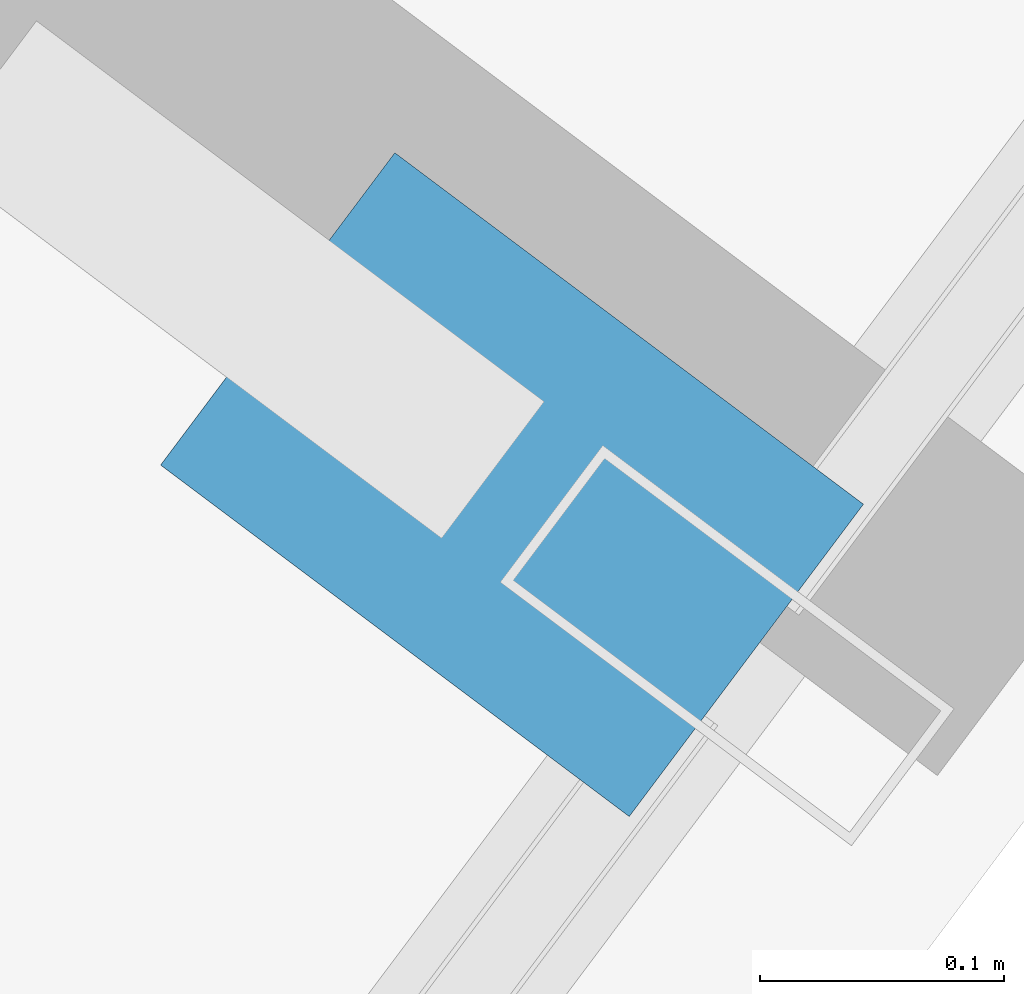
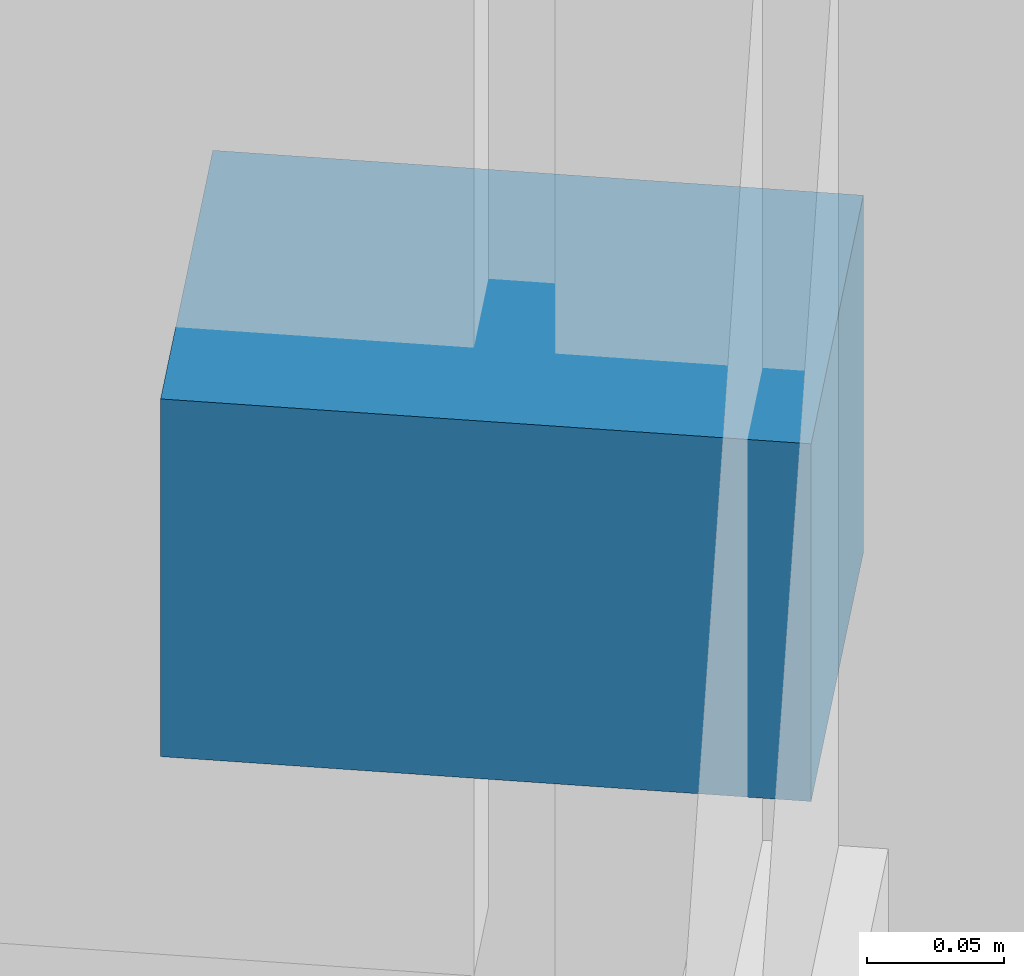
# One storey, part 30 of 37: 1 discrete accessory.
"""IFC4 building model written with IfcOpenShell, lengths in metres."""

from ifc_helpers import new_model, si_unit, direction, frame, origin, origin_2d, place, context, subcontext, project, spatial, rectangle, extrude, material, type_object, element, save


model = new_model("IFC4")

# Units and contexts
model_context = context("Model", 3, precision=1e-05, world=origin(), true_north=direction((0.0, 1.0)))
body_context = subcontext(model_context, "Body", "Model", "MODEL_VIEW")
ifc_project = project(units=[si_unit("LENGTHUNIT", "METRE"), si_unit("AREAUNIT", "SQUARE_METRE"), si_unit("VOLUMEUNIT", "CUBIC_METRE"), si_unit("PLANEANGLEUNIT", "RADIAN"), si_unit("MASSUNIT", "GRAM", prefix="KILO")], contexts=[model_context])

# Site, building, storey
site_placement = place(None, origin())
site = spatial("IfcSite", under=ifc_project, at=site_placement, CompositionType="ELEMENT")
building_placement = place(site_placement, origin())
building = spatial("IfcBuilding", under=site, at=building_placement, Name="Hatsunagi Terrace Concourse", CompositionType="ELEMENT")
storey_placement = place(building_placement, frame((0.0, 0.0, 39.949951171875)))
storey = spatial("IfcBuildingStorey", under=building, at=storey_placement, Name="L09", CompositionType="ELEMENT", Elevation=39.949951171875)

# Discrete accessory
ifc_material = material(Name="Stainless Steel SUS316 Bracket", Category="steel")
discrete_accessory_type = type_object("IfcDiscreteAccessoryType", Name="FacadeScreenSupportBracket_SS", PredefinedType="BRACKET", material=ifc_material)
discrete_accessory_placement = place(storey_placement, frame((64.827880859375, 14.155029296875, 0.97021484375), z_axis=(0.0, 0.0, 1.0), x_axis=(-0.599969314634, -0.800023013105, 0.0)))
element("IfcDiscreteAccessory", 1, at=discrete_accessory_placement, inside=storey, type_object=discrete_accessory_type, Name="Terracotta Screen Bracket BRK-01", PredefinedType="BRACKET", context=body_context, shape_type="SweptSolid", body=[
    extrude(rectangle(XDim=0.159912109375, YDim=0.239990234375, at=origin_2d()), origin(), (0.0, 0.0, 1.0), 0.159912109375),
])

save(model, "model.ifc")
